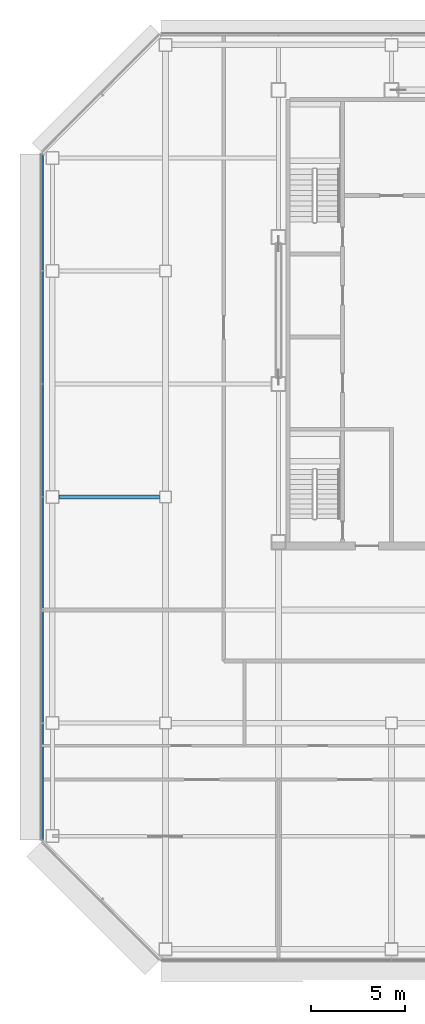
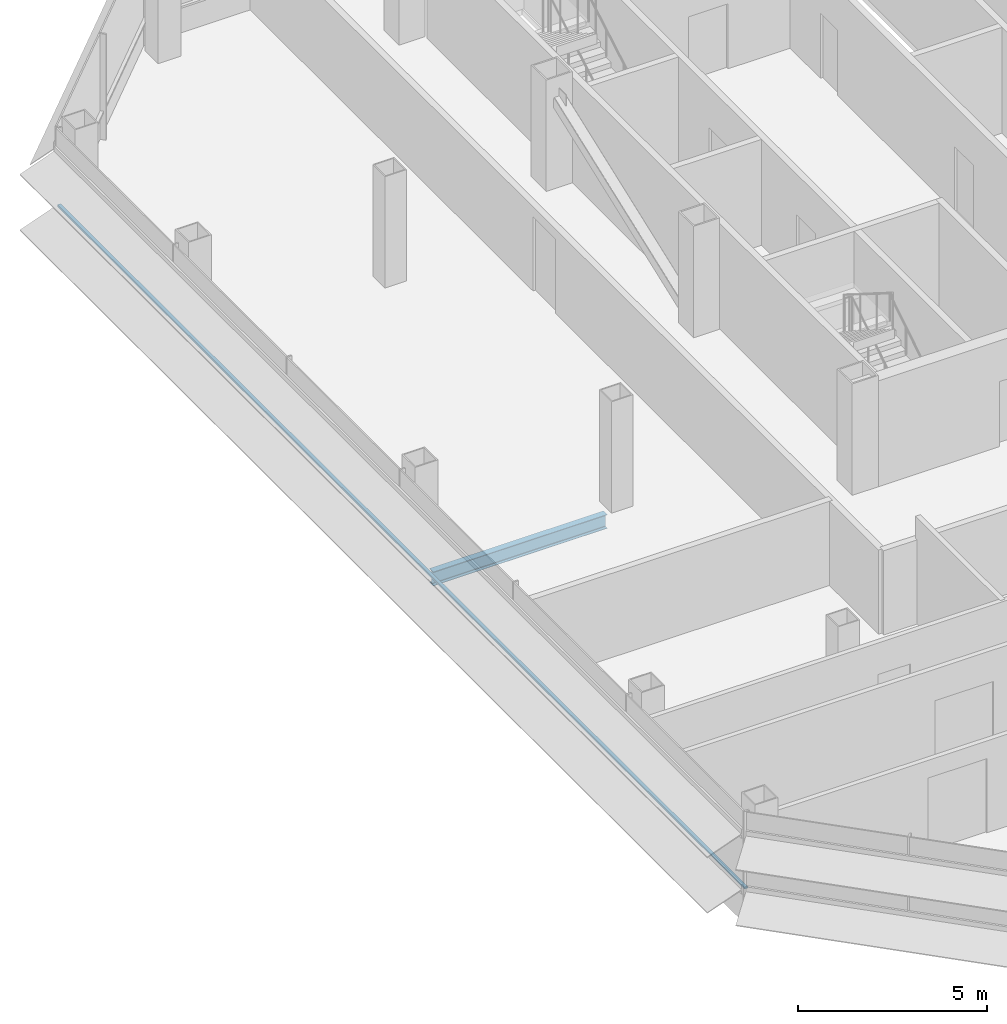
# One storey, part 5 of 24: 1 beam, 1 member, 1 element without a shape of its own.
"""IFC4 building model written with IfcOpenShell, lengths in metres."""

from ifc_helpers import new_model, si_unit, direction, frame, origin, origin_2d, place, context, subcontext, project, spatial, rectangle, i_section, extrude, material, material_profile, profile_set, type_object, element, aggregate, save


model = new_model("IFC4")

# Units and contexts
model_context = context("Model", 3, precision=1e-05, world=origin(), true_north=direction((0.0, 1.0)))
body_context = subcontext(model_context, "Body", "Model", "MODEL_VIEW")
ifc_project = project(units=[si_unit("LENGTHUNIT", "METRE"), si_unit("AREAUNIT", "SQUARE_METRE"), si_unit("VOLUMEUNIT", "CUBIC_METRE"), si_unit("PLANEANGLEUNIT", "RADIAN"), si_unit("MASSUNIT", "GRAM", prefix="KILO")], contexts=[model_context])

# Site, building, storey
site_placement = place(None, origin())
site = spatial("IfcSite", under=ifc_project, at=site_placement, CompositionType="ELEMENT")
building_placement = place(site_placement, origin())
building = spatial("IfcBuilding", under=site, at=building_placement, Name="Sorahane Residences", CompositionType="ELEMENT")
storey_placement = place(building_placement, frame((0.0, 0.0, 174.39990234375)))
storey = spatial("IfcBuildingStorey", under=building, at=storey_placement, Name="L40", CompositionType="ELEMENT", Elevation=174.39990234375)

# Curtain wall, member
ifc_material_1 = material(Name="Dark low-e glass and black anodised aluminium", Category="aluminium")
curtain_wall_type = type_object("IfcCurtainWallType", Name="Curtain wall CW-1 Typical unitised wall", PredefinedType="NOTDEFINED", material=ifc_material_1)
curtain_wall_placement = place(storey_placement, origin())
curtain_wall = element("IfcCurtainWall", 1, at=curtain_wall_placement, inside=storey, type_object=curtain_wall_type, Name="CW-1 curtain wall L40 W1", PredefinedType="NOTDEFINED")
ifc_material_2 = material(Name="Black anodised aluminium", Category="aluminium")
ifc_material_profile_1 = material_profile(ifc_material_2, rectangle(XDim=0.10009765625, YDim=0.06005859375, at=origin_2d()), Name="Curtain wall transom CW-1 black anodised aluminium 60x100")
ifc_profile_set_1 = profile_set([ifc_material_profile_1], Name="Black anodised aluminium")
member_type = type_object("IfcMemberType", Name="Curtain wall transom CW-1 black anodised aluminium 60x100", PredefinedType="USERDEFINED", material=ifc_profile_set_1)
member_placement = place(storey_placement, frame((-6.530029296875, 42.198486328125, 0.900146484375), z_axis=(0.0, -1.0, 0.0), x_axis=(1.0, 0.0, 0.0)))
member = element("IfcMember", 2, at=member_placement, type_object=member_type, Name="CW-1 transom L40 W1", ObjectType="TRANSOM", PredefinedType="USERDEFINED", context=body_context, shape_type="SweptSolid", body=[
    extrude(rectangle(XDim=0.10009765625, YDim=0.06005859375, at=origin_2d()), origin(), (0.0, 0.0, 1.0), 36.39697265625),
])
aggregate(curtain_wall, [member])

# Beam
ifc_material_3 = material(Name="Steel Q355B", Category="steel")
ifc_material_profile_2 = material_profile(ifc_material_3, i_section(OverallWidth=0.199951171875, OverallDepth=0.449951171875, WebThickness=0.009033203125, FlangeThickness=0.013916015625, FilletRadius=0.02001953125, at=origin_2d()), Name="HN 450x200x9x14")
ifc_profile_set_2 = profile_set([ifc_material_profile_2], Name="Steel Q355B")
beam_type = type_object("IfcBeamType", Name="Steel floor beam HN 450x200x9x14 Q355B", PredefinedType="BEAM", material=ifc_profile_set_2)
beam_placement = place(storey_placement, frame((-5.64990234375, 24.0, -0.40478515625), z_axis=(1.0, 0.0, 0.0), x_axis=(0.0, 1.0, 0.0)))
element("IfcBeam", 3, at=beam_placement, inside=storey, type_object=beam_type, Name="Beam L40 011", PredefinedType="BEAM", context=body_context, shape_type="SweptSolid", body=[
    extrude(i_section(OverallWidth=0.199951171875, OverallDepth=0.449951171875, WebThickness=0.009033203125, FlangeThickness=0.013916015625, FilletRadius=0.02001953125, at=origin_2d()), origin(), (0.0, 0.0, 1.0), 5.324951171875),
])

save(model, "model.ifc")
